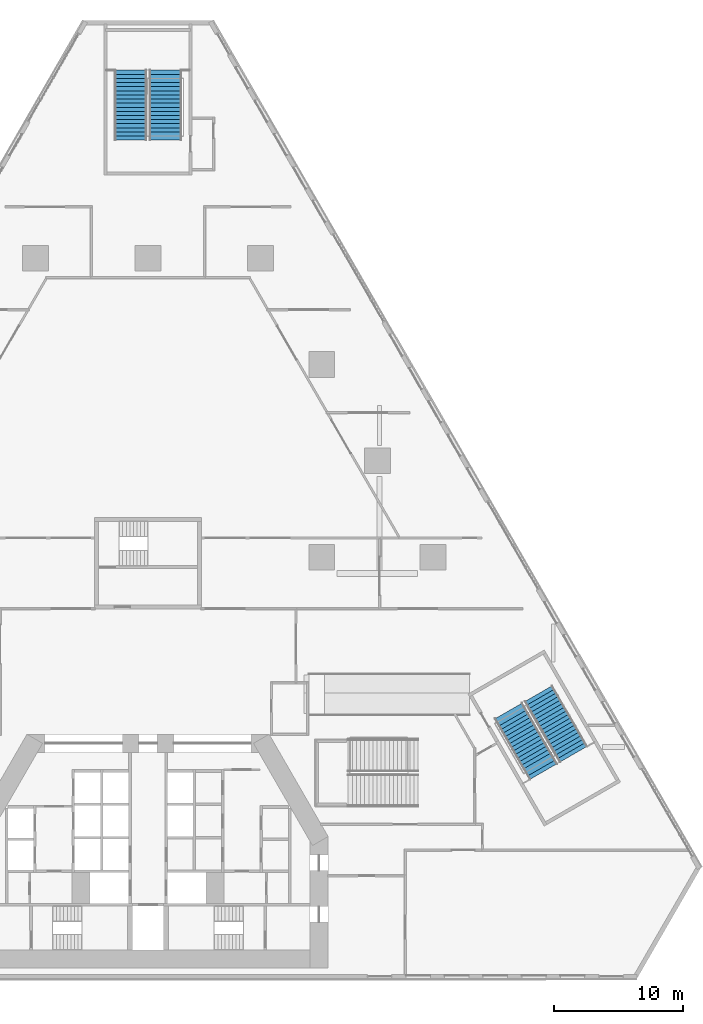
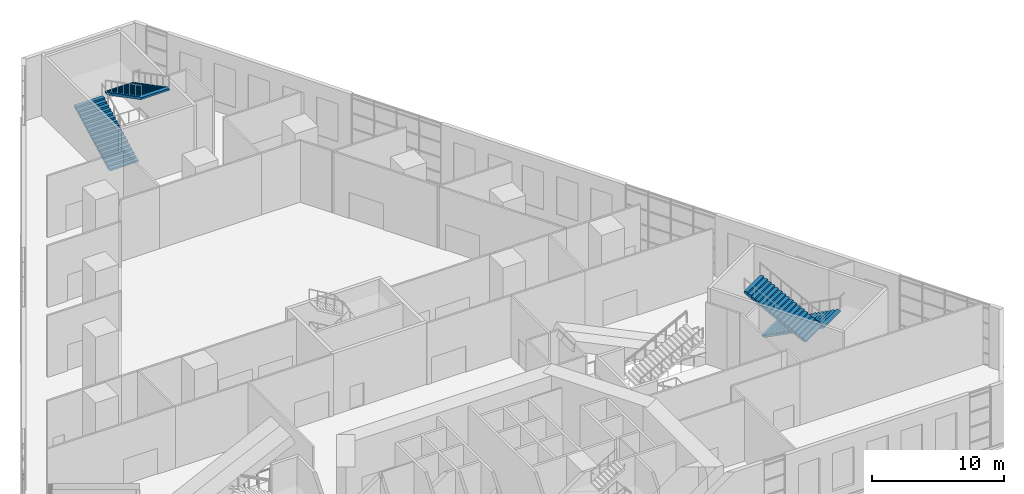
# One storey, part 21 of 27: 4 stair flights, 2 elements without a shape of their own.
"""IFC4 building model written with IfcOpenShell, lengths in metres."""

from ifc_helpers import new_model, si_unit, direction, frame, origin, place, context, subcontext, project, spatial, polyline, outline, extrude, material, type_object, element, aggregate, save


model = new_model("IFC4")

# Units and contexts
model_context = context("Model", 3, precision=1e-05, world=origin(), true_north=direction((0.0, 1.0)))
body_context = subcontext(model_context, "Body", "Model", "MODEL_VIEW")
ifc_project = project(units=[si_unit("LENGTHUNIT", "METRE"), si_unit("AREAUNIT", "SQUARE_METRE"), si_unit("VOLUMEUNIT", "CUBIC_METRE"), si_unit("PLANEANGLEUNIT", "RADIAN"), si_unit("MASSUNIT", "GRAM", prefix="KILO")], contexts=[model_context])

# Site, building, storey
site_placement = place(None, origin())
site = spatial("IfcSite", under=ifc_project, at=site_placement, CompositionType="ELEMENT")
building_placement = place(site_placement, origin())
building = spatial("IfcBuilding", under=site, at=building_placement, Name="Fogline Exchange Tower", CompositionType="ELEMENT")
storey_placement = place(building_placement, frame((0.0, 0.0, 8.0)))
storey = spatial("IfcBuildingStorey", under=building, at=storey_placement, Name="L01", CompositionType="ELEMENT", Elevation=8.0)

# Stair, stair flights
ifc_material = material(Name="Concrete C40", Category="concrete")
stair_type = type_object("IfcStairType", Name="PSF0-36-1667", PredefinedType="HALF_TURN_STAIR", material=ifc_material)
stair_1_placement = place(storey_placement, origin())
stair_1 = element("IfcStair", 1, at=stair_1_placement, inside=storey, type_object=stair_type, Name="Stair ST5", PredefinedType="HALF_TURN_STAIR")
stair_flight_type = type_object("IfcStairFlightType", Name="PSF1-18-1667", PredefinedType="STRAIGHT", material=ifc_material)
stair_flight_1_placement = place(storey_placement, frame((30.3642578125, 22.1669921875, 0.0), z_axis=(0.0, 0.0, 1.0), x_axis=(0.49997940255, -0.866037295401, 0.0)))
stair_flight_1 = element("IfcStairFlight", 2, at=stair_flight_1_placement, type_object=stair_flight_type, Name="ST5 flight 1", NumberOfRisers=18, NumberOfTreads=17, PredefinedType="STRAIGHT", RiserHeight=0.166666667, TreadLength=0.32, context=body_context, shape_type="SweptSolid", body=[
    extrude(outline(polyline([(0.0, 0.0), (0.0, 0.166748046875), (0.320068359375, 0.166748046875), (0.320068359375, 0.333251953125), (0.639892578125, 0.333251953125), (0.639892578125, 0.5), (0.9599609375, 0.5), (0.9599609375, 0.666748046875), (1.280029296875, 0.666748046875), (1.280029296875, 0.833251953125), (1.60009765625, 0.833251953125), (1.60009765625, 1.0), (1.919921875, 1.0), (1.919921875, 1.166748046875), (2.239990234375, 1.166748046875), (2.239990234375, 1.333251953125), (2.56005859375, 1.333251953125), (2.56005859375, 1.5), (2.8798828125, 1.5), (2.8798828125, 1.666748046875), (3.199951171875, 1.666748046875), (3.199951171875, 1.833251953125), (3.52001953125, 1.833251953125), (3.52001953125, 2.0), (3.840087890625, 2.0), (3.840087890625, 2.166748046875), (4.159912109375, 2.166748046875), (4.159912109375, 2.333251953125), (4.47998046875, 2.333251953125), (4.47998046875, 2.5), (4.800048828125, 2.5), (4.800048828125, 2.666748046875), (5.1201171875, 2.666748046875), (5.1201171875, 2.833251953125), (5.43994140625, 2.833251953125), (5.43994140625, 3.0), (5.43994140625, 2.664306640625), (0.324462890625, 0.0), (0.0, 0.0)])), frame((0.0, 1.25, 0.0), z_axis=(0.0, -1.0, 0.0), x_axis=(1.0, 0.0, 0.0)), (0.0, 0.0, 1.0), 2.5),
])
stair_flight_2_placement = place(storey_placement, frame((30.745849609375, 16.105712890625, 3.0), z_axis=(0.0, 0.0, 1.0), x_axis=(-0.49997940255, 0.866037295401, 0.0)))
stair_flight_2 = element("IfcStairFlight", 3, at=stair_flight_2_placement, type_object=stair_flight_type, Name="ST5 flight 2", NumberOfRisers=18, NumberOfTreads=17, PredefinedType="STRAIGHT", RiserHeight=0.166666667, TreadLength=0.32, context=body_context, shape_type="SweptSolid", body=[
    extrude(outline(polyline([(0.0, 0.0), (0.0, 0.166748046875), (0.320068359375, 0.166748046875), (0.320068359375, 0.333251953125), (0.639892578125, 0.333251953125), (0.639892578125, 0.5), (0.9599609375, 0.5), (0.9599609375, 0.666748046875), (1.280029296875, 0.666748046875), (1.280029296875, 0.833251953125), (1.60009765625, 0.833251953125), (1.60009765625, 1.0), (1.919921875, 1.0), (1.919921875, 1.166748046875), (2.239990234375, 1.166748046875), (2.239990234375, 1.333251953125), (2.56005859375, 1.333251953125), (2.56005859375, 1.5), (2.8798828125, 1.5), (2.8798828125, 1.666748046875), (3.199951171875, 1.666748046875), (3.199951171875, 1.833251953125), (3.52001953125, 1.833251953125), (3.52001953125, 2.0), (3.840087890625, 2.0), (3.840087890625, 2.166748046875), (4.159912109375, 2.166748046875), (4.159912109375, 2.333251953125), (4.47998046875, 2.333251953125), (4.47998046875, 2.5), (4.800048828125, 2.5), (4.800048828125, 2.666748046875), (5.1201171875, 2.666748046875), (5.1201171875, 2.833251953125), (5.43994140625, 2.833251953125), (5.43994140625, 3.0), (5.43994140625, 2.664306640625), (0.324462890625, 0.0), (0.0, 0.0)])), frame((0.0, 1.25, 0.0), z_axis=(0.0, -1.0, 0.0), x_axis=(1.0, 0.0, 0.0)), (0.0, 0.0, 1.0), 2.5),
])
aggregate(stair_1, [stair_flight_1, stair_flight_2])

stair_2_placement = place(storey_placement, origin())
stair_2 = element("IfcStair", 4, at=stair_2_placement, inside=storey, type_object=stair_type, Name="Stair ST6", PredefinedType="HALF_TURN_STAIR")
stair_flight_3_placement = place(storey_placement, frame((-1.35009765625, 65.18505859375, 0.0), z_axis=(0.0, 0.0, 1.0), x_axis=(0.0, 1.0, 0.0)))
stair_flight_3 = element("IfcStairFlight", 5, at=stair_flight_3_placement, type_object=stair_flight_type, Name="ST6 flight 1", NumberOfRisers=18, NumberOfTreads=17, PredefinedType="STRAIGHT", RiserHeight=0.166666667, TreadLength=0.32, context=body_context, shape_type="SweptSolid", body=[
    extrude(outline(polyline([(0.0, 0.0), (0.0, 0.166748046875), (0.320068359375, 0.166748046875), (0.320068359375, 0.333251953125), (0.639892578125, 0.333251953125), (0.639892578125, 0.5), (0.9599609375, 0.5), (0.9599609375, 0.666748046875), (1.280029296875, 0.666748046875), (1.280029296875, 0.833251953125), (1.60009765625, 0.833251953125), (1.60009765625, 1.0), (1.919921875, 1.0), (1.919921875, 1.166748046875), (2.239990234375, 1.166748046875), (2.239990234375, 1.333251953125), (2.56005859375, 1.333251953125), (2.56005859375, 1.5), (2.8798828125, 1.5), (2.8798828125, 1.666748046875), (3.199951171875, 1.666748046875), (3.199951171875, 1.833251953125), (3.52001953125, 1.833251953125), (3.52001953125, 2.0), (3.840087890625, 2.0), (3.840087890625, 2.166748046875), (4.159912109375, 2.166748046875), (4.159912109375, 2.333251953125), (4.47998046875, 2.333251953125), (4.47998046875, 2.5), (4.800048828125, 2.5), (4.800048828125, 2.666748046875), (5.1201171875, 2.666748046875), (5.1201171875, 2.833251953125), (5.43994140625, 2.833251953125), (5.43994140625, 3.0), (5.43994140625, 2.664306640625), (0.324462890625, 0.0), (0.0, 0.0)])), frame((0.0, 1.25, 0.0), z_axis=(0.0, -1.0, 0.0), x_axis=(1.0, 0.0, 0.0)), (0.0, 0.0, 1.0), 2.5),
])
stair_flight_4_placement = place(storey_placement, frame((1.35009765625, 70.625, 3.0), z_axis=(0.0, 0.0, 1.0), x_axis=(0.0, -1.0, 0.0)))
stair_flight_4 = element("IfcStairFlight", 6, at=stair_flight_4_placement, type_object=stair_flight_type, Name="ST6 flight 2", NumberOfRisers=18, NumberOfTreads=17, PredefinedType="STRAIGHT", RiserHeight=0.166666667, TreadLength=0.32, context=body_context, shape_type="SweptSolid", body=[
    extrude(outline(polyline([(0.0, 0.0), (0.0, 0.166748046875), (0.320068359375, 0.166748046875), (0.320068359375, 0.333251953125), (0.639892578125, 0.333251953125), (0.639892578125, 0.5), (0.9599609375, 0.5), (0.9599609375, 0.666748046875), (1.280029296875, 0.666748046875), (1.280029296875, 0.833251953125), (1.60009765625, 0.833251953125), (1.60009765625, 1.0), (1.919921875, 1.0), (1.919921875, 1.166748046875), (2.239990234375, 1.166748046875), (2.239990234375, 1.333251953125), (2.56005859375, 1.333251953125), (2.56005859375, 1.5), (2.8798828125, 1.5), (2.8798828125, 1.666748046875), (3.199951171875, 1.666748046875), (3.199951171875, 1.833251953125), (3.52001953125, 1.833251953125), (3.52001953125, 2.0), (3.840087890625, 2.0), (3.840087890625, 2.166748046875), (4.159912109375, 2.166748046875), (4.159912109375, 2.333251953125), (4.47998046875, 2.333251953125), (4.47998046875, 2.5), (4.800048828125, 2.5), (4.800048828125, 2.666748046875), (5.1201171875, 2.666748046875), (5.1201171875, 2.833251953125), (5.43994140625, 2.833251953125), (5.43994140625, 3.0), (5.43994140625, 2.664306640625), (0.324462890625, 0.0), (0.0, 0.0)])), frame((0.0, 1.25, 0.0), z_axis=(0.0, -1.0, 0.0), x_axis=(1.0, 0.0, 0.0)), (0.0, 0.0, 1.0), 2.5),
])
aggregate(stair_2, [stair_flight_3, stair_flight_4])

save(model, "model.ifc")
